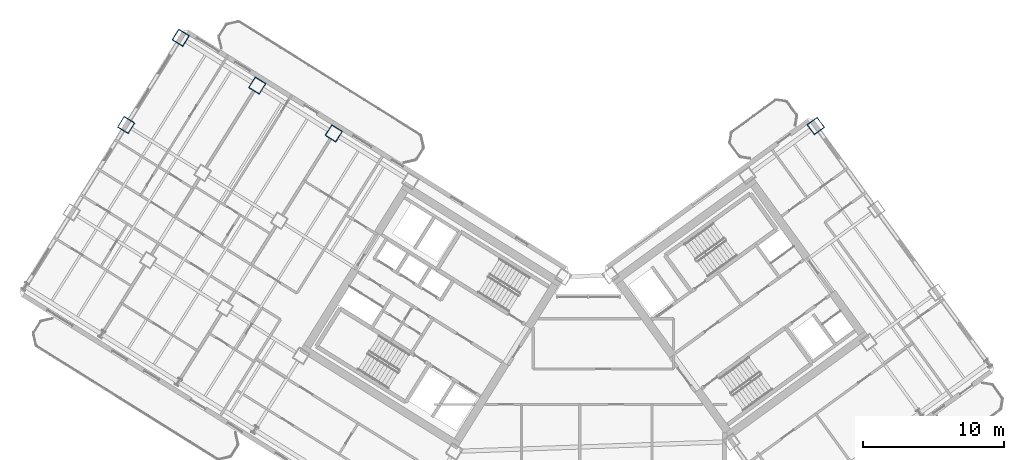
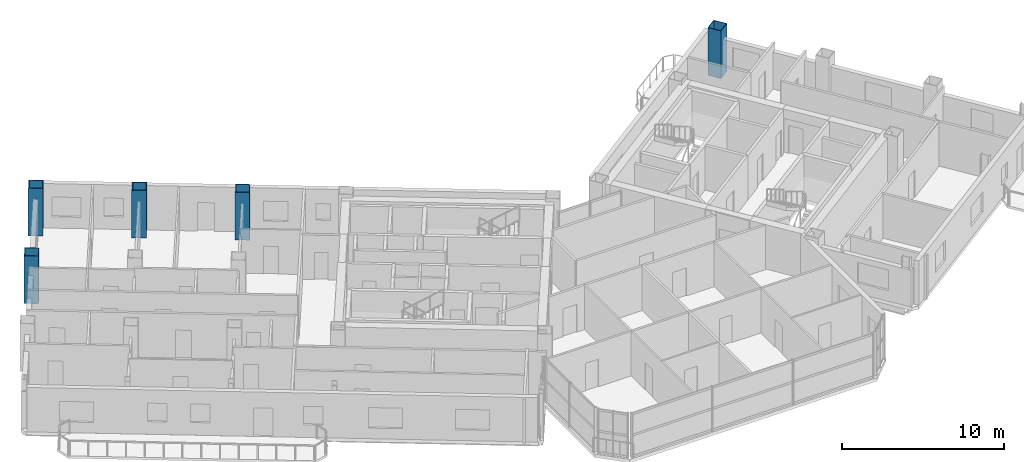
# One storey, part 3 of 25: 5 columns.
"""IFC4 building model written with IfcOpenShell, lengths in metres."""

from ifc_helpers import new_model, si_unit, direction, frame, origin, origin_2d, place, context, subcontext, project, spatial, hollow_rectangle, extrude, source, transform, mapped, material, material_profile, profile_set, type_object, element, save


model = new_model("IFC4")

# Units and contexts
model_context = context("Model", 3, precision=1e-05, world=origin(), true_north=direction((0.0, 1.0)))
body_context = subcontext(model_context, "Body", "Model", "MODEL_VIEW")
ifc_project = project(units=[si_unit("LENGTHUNIT", "METRE"), si_unit("AREAUNIT", "SQUARE_METRE"), si_unit("VOLUMEUNIT", "CUBIC_METRE"), si_unit("PLANEANGLEUNIT", "RADIAN"), si_unit("MASSUNIT", "GRAM", prefix="KILO")], contexts=[model_context])

# Site, building, storey
site_placement = place(None, origin())
site = spatial("IfcSite", under=ifc_project, at=site_placement, CompositionType="ELEMENT")
building_placement = place(site_placement, origin())
building = spatial("IfcBuilding", under=site, at=building_placement, Name="Tlacorven Tower", CompositionType="ELEMENT")
storey_placement = place(building_placement, frame((0.0, 0.0, 155.10009765625)))
storey = spatial("IfcBuildingStorey", under=building, at=storey_placement, Name="L39", CompositionType="ELEMENT", Elevation=155.10009765625)

# Columns
ifc_material = material(Name="Steel S460M", Category="steel")
ifc_material_profile = material_profile(ifc_material, hollow_rectangle(XDim=0.89990234375, YDim=0.89990234375, WallThickness=0.035888671875, at=origin_2d()), Name="BOX 900X900X36")
ifc_profile_set = profile_set([ifc_material_profile], Name="Steel S460M")
column_type = type_object("IfcColumnType", Name="COL-TWR-S2", PredefinedType="COLUMN", material=ifc_profile_set)
shared_shape = source(origin(), body_context, "Body", "SweptSolid", [
    extrude(hollow_rectangle(XDim=0.89990234375, YDim=0.89990234375, WallThickness=0.035888671875, at=origin_2d()), origin(), (0.0, 0.0, 1.0), 3.599853515625),
])
for number, where, z_axis, x_axis, name in (
    (1, (24.50048828125, 34.642822265625, 0.0), (0.0, 0.0, 1.0), (-0.848048096156, 0.529919264233, 0.0), "L39 column COL-L39-W4-1"),
    (2, (19.072998046875, 38.034423828125, 0.0), (0.0, 0.0, 1.0), (-0.848048096156, 0.529919264233, 0.0), "L39 column COL-L39-W5-1"),
    (3, (13.6455078125, 41.42578125, 0.0), (0.0, 0.0, 1.0), (-0.848048096156, 0.529919264233, 0.0), "L39 column COL-L39-W6-1"),
    (4, (9.777099609375, 35.235107421875, 0.0), (0.0, 0.0, 1.0), (-0.848048096156, 0.529919264233, 0.0), "L39 column COL-L39-W6-2"),
    (5, (58.68603515625, 35.165283203125, 0.0), (0.0, 0.0, 1.0), (0.809016994375, 0.587785252292, 0.0), "L39 column COL-L39-E4-4"),
):
    element("IfcColumn", number, at=place(storey_placement, frame(where, z_axis=z_axis, x_axis=x_axis)), inside=storey, type_object=column_type, Name=name, PredefinedType="COLUMN", context=body_context, shape_type="MappedRepresentation", body=[
        mapped(shared_shape, transform((0.0, 0.0, 0.0), scale=1.0)),
    ])

save(model, "model.ifc")
